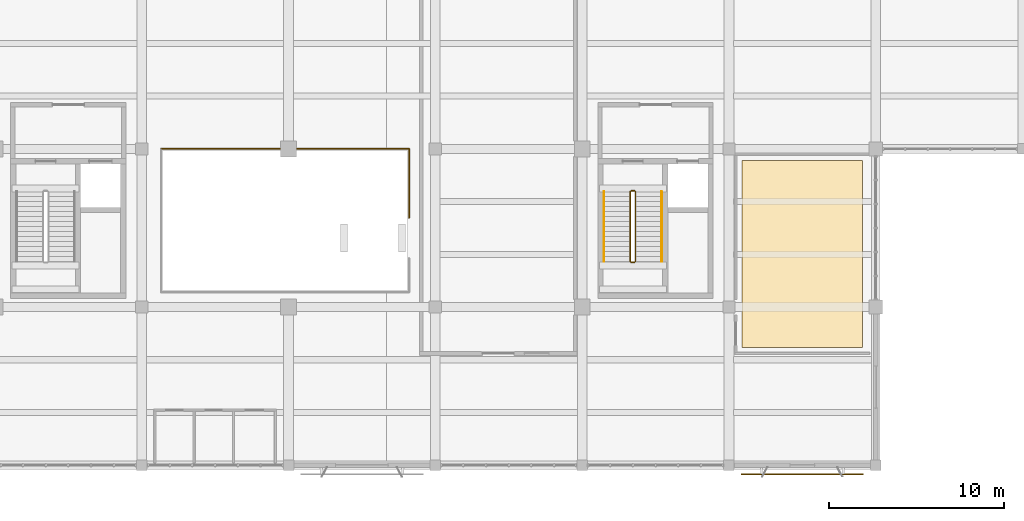
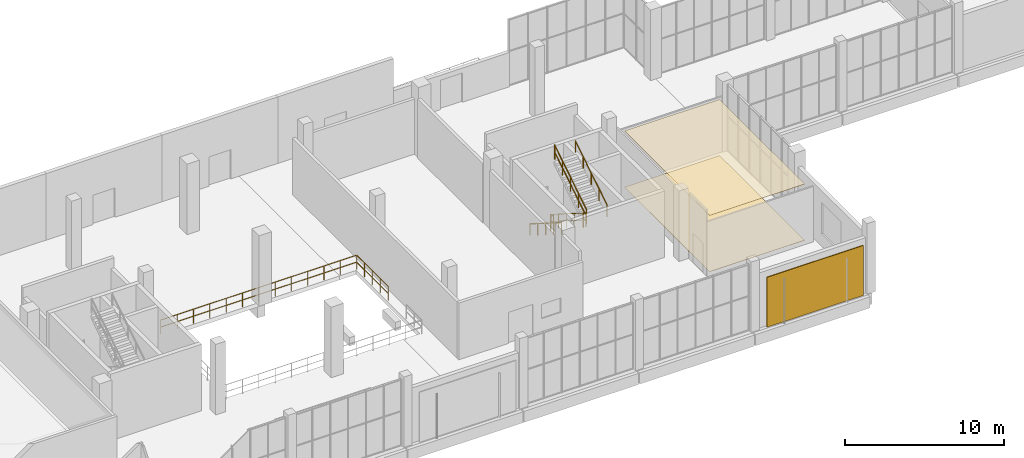
# One storey, part 126 of 132: 8 railings, 2 coverings, 1 shading device.
"""IFC4 building model written with IfcOpenShell, lengths in metres."""

from ifc_helpers import new_model, si_unit, direction, frame, origin, origin_2d, place, context, subcontext, project, spatial, polyline, rectangle, circle, outline, extrude, material, layer, layer_set, type_object, element, save


model = new_model("IFC4")

# Units and contexts
model_context = context("Model", 3, precision=1e-05, world=origin(), true_north=direction((0.0, 1.0)))
body_context = subcontext(model_context, "Body", "Model", "MODEL_VIEW")
ifc_project = project(units=[si_unit("LENGTHUNIT", "METRE"), si_unit("AREAUNIT", "SQUARE_METRE"), si_unit("VOLUMEUNIT", "CUBIC_METRE"), si_unit("PLANEANGLEUNIT", "RADIAN"), si_unit("MASSUNIT", "GRAM", prefix="KILO")], contexts=[model_context])

# Site, building, storey
site_placement = place(None, origin())
site = spatial("IfcSite", under=ifc_project, at=site_placement, CompositionType="ELEMENT")
building_placement = place(site_placement, origin())
building = spatial("IfcBuilding", under=site, at=building_placement, Name="Khurvash Pelagic Aquarium", CompositionType="ELEMENT")
storey_placement = place(building_placement, frame((0.0, 0.0, 5.39990234375)))
storey = spatial("IfcBuildingStorey", under=building, at=storey_placement, Name="L01", CompositionType="ELEMENT", Elevation=5.39990234375)

# Coverings
ifc_material_1 = material(Name="Moisture-resistant acoustic mineral-fibre ceiling", Category="finish")
ifc_layer_1 = layer(ifc_material_1, 0.02490234375)
ifc_layer_set_1 = layer_set([ifc_layer_1], Name="Moisture-resistant acoustic mineral-fibre ceiling")
covering_type_1 = type_object("IfcCoveringType", Name="CV-CLG", PredefinedType="CEILING", material=ifc_layer_set_1)
covering_1_placement = place(storey_placement, frame((0.0, 0.0, 4.30517578125)))
element("IfcCovering", 1, at=covering_1_placement, inside=storey, type_object=covering_type_1, Name="L01 Jellyfish Kreisel Gallery Suspended Acoustic Ceiling", PredefinedType="CEILING", context=body_context, shape_type="SweptSolid", body=[
    extrude(outline(polyline([(108.449951171875, 9.35009765625), (108.449951171875, 20.050048828125), (101.550048828125, 20.050048828125), (101.550048828125, 9.35009765625), (108.449951171875, 9.35009765625)])), origin(), (0.0, 0.0, 1.0), 0.02490234375),
])
ifc_material_2 = material(Name="Slip-resistant terrazzo and epoxy resin flooring", Category="finish")
ifc_layer_2 = layer(ifc_material_2, 0.02001953125)
ifc_layer_set_2 = layer_set([ifc_layer_2], Name="Slip-resistant terrazzo and epoxy resin flooring")
covering_type_2 = type_object("IfcCoveringType", Name="CV-FLR", PredefinedType="FLOORING", material=ifc_layer_set_2)
covering_2_placement = place(storey_placement, origin())
element("IfcCovering", 2, at=covering_2_placement, inside=storey, type_object=covering_type_2, Name="L01 Jellyfish Kreisel Gallery Terrazzo Floor Finish", PredefinedType="FLOORING", context=body_context, shape_type="SweptSolid", body=[
    extrude(outline(polyline([(108.449951171875, 9.35009765625), (108.449951171875, 20.050048828125), (101.550048828125, 20.050048828125), (101.550048828125, 9.35009765625), (108.449951171875, 9.35009765625)])), origin(), (0.0, 0.0, 1.0), 0.02001953125),
])

# Railings
ifc_material_3 = material(Name="Powder-coated galvanised steel S355J2", Category="steel")
railing_type_1 = type_object("IfcRailingType", Name="GR-01", PredefinedType="GUARDRAIL", material=ifc_material_3)
railing_1_placement = place(storey_placement, frame((95.14990234375, 18.25, 0.18017578125)))
element("IfcRailing", 3, at=railing_1_placement, inside=storey, type_object=railing_type_1, Name="L01 ST-03 stair guard 1", PredefinedType="GUARDRAIL", context=body_context, shape_type="SweptSolid", body=[
    extrude(circle(Radius=0.02392578125, at=origin_2d()), frame((0.0, 0.0, 1.076171875), z_axis=(0.0, -0.845486444383, 0.533996884227), x_axis=(1.0, 0.0, 0.0)), (0.0, 0.0, 1.0), 4.71923828125),
    extrude(circle(Radius=0.02392578125, at=origin_2d()), frame((0.0, 0.0, 0.5380859375), z_axis=(0.0, -0.845486444383, 0.533996884227), x_axis=(1.0, 0.0, 0.0)), (0.0, 0.0, 1.0), 4.71923828125),
    extrude(circle(Radius=0.02099609375, at=origin_2d()), origin(), (0.0, 0.0, 1.0), 1.052001953125),
    extrude(circle(Radius=0.02099609375, at=origin_2d()), frame((0.0, -0.99755859375, 0.6298828125)), (0.0, 0.0, 1.0), 1.052001953125),
    extrude(circle(Radius=0.02099609375, at=origin_2d()), frame((0.0, -1.9951171875, 1.260009765625)), (0.0, 0.0, 1.0), 1.052001953125),
    extrude(circle(Radius=0.02099609375, at=origin_2d()), frame((0.0, -2.992431640625, 1.89013671875)), (0.0, 0.0, 1.0), 1.052001953125),
    extrude(circle(Radius=0.02099609375, at=origin_2d()), frame((0.0, -3.989990234375, 2.52001953125)), (0.0, 0.0, 1.0), 1.052001953125),
])
railing_2_placement = place(storey_placement, frame((95.199951171875, 14.2099609375, 2.7001953125)))
element("IfcRailing", 4, at=railing_2_placement, inside=storey, type_object=railing_type_1, Name="L01 ST-03 stair guard 2", PredefinedType="GUARDRAIL", context=body_context, shape_type="SweptSolid", body=[
    extrude(circle(Radius=0.02392578125, at=origin_2d()), frame((0.0, 0.0, 1.076171875), z_axis=(1.0, 0.0, 0.0), x_axis=(0.0, 1.0, 0.0)), (0.0, 0.0, 1.0), 0.199951171875),
    extrude(circle(Radius=0.02392578125, at=origin_2d()), frame((0.0, 0.0, 0.5380859375), z_axis=(1.0, 0.0, 0.0), x_axis=(0.0, 1.0, 0.0)), (0.0, 0.0, 1.0), 0.199951171875),
    extrude(circle(Radius=0.02099609375, at=origin_2d()), origin(), (0.0, 0.0, 1.0), 1.052001953125),
    extrude(circle(Radius=0.02099609375, at=origin_2d()), frame((0.199951171875, 0.0, 0.0)), (0.0, 0.0, 1.0), 1.052001953125),
])
railing_3_placement = place(storey_placement, frame((95.449951171875, 14.260009765625, 2.880126953125)))
element("IfcRailing", 5, at=railing_3_placement, inside=storey, type_object=railing_type_1, Name="L01 ST-03 stair guard 3", PredefinedType="GUARDRAIL", context=body_context, shape_type="SweptSolid", body=[
    extrude(circle(Radius=0.02392578125, at=origin_2d()), frame((0.0, 0.0, 1.076171875), z_axis=(0.0, 0.845486444383, 0.533996884227), x_axis=(-1.0, 0.0, 0.0)), (0.0, 0.0, 1.0), 4.71923828125),
    extrude(circle(Radius=0.02392578125, at=origin_2d()), frame((0.0, 0.0, 0.5380859375), z_axis=(0.0, 0.845486444383, 0.533996884227), x_axis=(-1.0, 0.0, 0.0)), (0.0, 0.0, 1.0), 4.71923828125),
    extrude(circle(Radius=0.02099609375, at=origin_2d()), origin(), (0.0, 0.0, 1.0), 1.052001953125),
    extrude(circle(Radius=0.02099609375, at=origin_2d()), frame((0.0, 0.99755859375, 0.6298828125)), (0.0, 0.0, 1.0), 1.052001953125),
    extrude(circle(Radius=0.02099609375, at=origin_2d()), frame((0.0, 1.9951171875, 1.260009765625)), (0.0, 0.0, 1.0), 1.052001953125),
    extrude(circle(Radius=0.02099609375, at=origin_2d()), frame((0.0, 2.992431640625, 1.89013671875)), (0.0, 0.0, 1.0), 1.052001953125),
    extrude(circle(Radius=0.02099609375, at=origin_2d()), frame((0.0, 3.989990234375, 2.52001953125)), (0.0, 0.0, 1.0), 1.052001953125),
])
railing_4_placement = place(storey_placement, frame((95.199951171875, 18.300048828125, 0.0)))
element("IfcRailing", 6, at=railing_4_placement, inside=storey, type_object=railing_type_1, Name="L01 ST-03 stair guard 4", PredefinedType="GUARDRAIL", context=body_context, shape_type="SweptSolid", body=[
    extrude(circle(Radius=0.02392578125, at=origin_2d()), frame((0.0, 0.0, 1.076171875), z_axis=(1.0, 0.0, 0.0), x_axis=(0.0, 1.0, 0.0)), (0.0, 0.0, 1.0), 0.199951171875),
    extrude(circle(Radius=0.02392578125, at=origin_2d()), frame((0.0, 0.0, 0.5380859375), z_axis=(1.0, 0.0, 0.0), x_axis=(0.0, 1.0, 0.0)), (0.0, 0.0, 1.0), 0.199951171875),
    extrude(circle(Radius=0.02099609375, at=origin_2d()), origin(), (0.0, 0.0, 1.0), 1.052001953125),
    extrude(circle(Radius=0.02099609375, at=origin_2d()), frame((0.199951171875, 0.0, 0.0)), (0.0, 0.0, 1.0), 1.052001953125),
])
railing_5_placement = place(storey_placement, frame((82.5, 16.75, 0.0)))
element("IfcRailing", 7, at=railing_5_placement, inside=storey, type_object=railing_type_1, Name="L01 VOID_ATRIUM_L01 Mezzanine Edge Guardrail GR-01", PredefinedType="GUARDRAIL", context=body_context, shape_type="SweptSolid", body=[
    extrude(circle(Radius=0.02392578125, at=origin_2d()), frame((0.0, 0.0, 1.076171875), z_axis=(0.0, 1.0, 0.0), x_axis=(-1.0, 0.0, 0.0)), (0.0, 0.0, 1.0), 3.949951171875),
    extrude(circle(Radius=0.02392578125, at=origin_2d()), frame((0.0, 0.0, 0.5380859375), z_axis=(0.0, 1.0, 0.0), x_axis=(-1.0, 0.0, 0.0)), (0.0, 0.0, 1.0), 3.949951171875),
    extrude(circle(Radius=0.02099609375, at=origin_2d()), origin(), (0.0, 0.0, 1.0), 1.052001953125),
    extrude(circle(Radius=0.02099609375, at=origin_2d()), frame((0.0, 0.987548828125, 0.0)), (0.0, 0.0, 1.0), 1.052001953125),
    extrude(circle(Radius=0.02099609375, at=origin_2d()), frame((0.0, 1.97509765625, 0.0)), (0.0, 0.0, 1.0), 1.052001953125),
    extrude(circle(Radius=0.02099609375, at=origin_2d()), frame((0.0, 2.96240234375, 0.0)), (0.0, 0.0, 1.0), 1.052001953125),
    extrude(circle(Radius=0.02099609375, at=origin_2d()), frame((0.0, 3.949951171875, 0.0)), (0.0, 0.0, 1.0), 1.052001953125),
])
railing_6_placement = place(storey_placement, frame((82.5, 20.699951171875, 0.0)))
element("IfcRailing", 8, at=railing_6_placement, inside=storey, type_object=railing_type_1, Name="L01 VOID_ATRIUM_L01 Mezzanine Edge Guardrail GR-01", PredefinedType="GUARDRAIL", context=body_context, shape_type="SweptSolid", body=[
    extrude(circle(Radius=0.02392578125, at=origin_2d()), frame((0.0, 0.0, 1.076171875), z_axis=(-1.0, 0.0, 0.0), x_axis=(0.0, -1.0, 0.0)), (0.0, 0.0, 1.0), 14.199951171875),
    extrude(circle(Radius=0.02392578125, at=origin_2d()), frame((0.0, 0.0, 0.5380859375), z_axis=(-1.0, 0.0, 0.0), x_axis=(0.0, -1.0, 0.0)), (0.0, 0.0, 1.0), 14.199951171875),
    extrude(circle(Radius=0.02099609375, at=origin_2d()), origin(), (0.0, 0.0, 1.0), 1.052001953125),
    extrude(circle(Radius=0.02099609375, at=origin_2d()), frame((-1.183349609375, 0.0, 0.0)), (0.0, 0.0, 1.0), 1.052001953125),
    extrude(circle(Radius=0.02099609375, at=origin_2d()), frame((-2.36669921875, 0.0, 0.0)), (0.0, 0.0, 1.0), 1.052001953125),
    extrude(circle(Radius=0.02099609375, at=origin_2d()), frame((-3.550048828125, 0.0, 0.0)), (0.0, 0.0, 1.0), 1.052001953125),
    extrude(circle(Radius=0.02099609375, at=origin_2d()), frame((-4.7333984375, 0.0, 0.0)), (0.0, 0.0, 1.0), 1.052001953125),
    extrude(circle(Radius=0.02099609375, at=origin_2d()), frame((-5.916748046875, 0.0, 0.0)), (0.0, 0.0, 1.0), 1.052001953125),
    extrude(circle(Radius=0.02099609375, at=origin_2d()), frame((-7.10009765625, 0.0, 0.0)), (0.0, 0.0, 1.0), 1.052001953125),
    extrude(circle(Radius=0.02099609375, at=origin_2d()), frame((-8.283203125, 0.0, 0.0)), (0.0, 0.0, 1.0), 1.052001953125),
    extrude(circle(Radius=0.02099609375, at=origin_2d()), frame((-9.466552734375, 0.0, 0.0)), (0.0, 0.0, 1.0), 1.052001953125),
    extrude(circle(Radius=0.02099609375, at=origin_2d()), frame((-10.64990234375, 0.0, 0.0)), (0.0, 0.0, 1.0), 1.052001953125),
    extrude(circle(Radius=0.02099609375, at=origin_2d()), frame((-11.833251953125, 0.0, 0.0)), (0.0, 0.0, 1.0), 1.052001953125),
    extrude(circle(Radius=0.02099609375, at=origin_2d()), frame((-13.0166015625, 0.0, 0.0)), (0.0, 0.0, 1.0), 1.052001953125),
    extrude(circle(Radius=0.02099609375, at=origin_2d()), frame((-14.199951171875, 0.0, 0.0)), (0.0, 0.0, 1.0), 1.052001953125),
])
ifc_material_4 = material(Name="Brushed stainless steel 316", Category="steel")
railing_type_2 = type_object("IfcRailingType", Name="HR-01", PredefinedType="HANDRAIL", material=ifc_material_4)
railing_7_placement = place(storey_placement, frame((93.64990234375, 18.25, 0.18017578125)))
element("IfcRailing", 9, at=railing_7_placement, inside=storey, type_object=railing_type_2, Name="L01 ST-03 stair handrail 1", PredefinedType="HANDRAIL", context=body_context, shape_type="SweptSolid", body=[
    extrude(circle(Radius=0.02392578125, at=origin_2d()), frame((0.0, 0.0, 0.8759765625), z_axis=(0.0, -0.845486444383, 0.533996884227), x_axis=(1.0, 0.0, 0.0)), (0.0, 0.0, 1.0), 4.71923828125),
    extrude(circle(Radius=0.02099609375, at=origin_2d()), origin(), (0.0, 0.0, 1.0), 0.851806640625),
    extrude(circle(Radius=0.02099609375, at=origin_2d()), frame((0.0, -0.99755859375, 0.6298828125)), (0.0, 0.0, 1.0), 0.851806640625),
    extrude(circle(Radius=0.02099609375, at=origin_2d()), frame((0.0, -1.9951171875, 1.260009765625)), (0.0, 0.0, 1.0), 0.851806640625),
    extrude(circle(Radius=0.02099609375, at=origin_2d()), frame((0.0, -2.992431640625, 1.89013671875)), (0.0, 0.0, 1.0), 0.851806640625),
    extrude(circle(Radius=0.02099609375, at=origin_2d()), frame((0.0, -3.989990234375, 2.52001953125)), (0.0, 0.0, 1.0), 0.851806640625),
])
railing_8_placement = place(storey_placement, frame((96.949951171875, 14.260009765625, 2.880126953125)))
element("IfcRailing", 10, at=railing_8_placement, inside=storey, type_object=railing_type_2, Name="L01 ST-03 stair handrail 2", PredefinedType="HANDRAIL", context=body_context, shape_type="SweptSolid", body=[
    extrude(circle(Radius=0.02392578125, at=origin_2d()), frame((0.0, 0.0, 0.8759765625), z_axis=(0.0, 0.845486444383, 0.533996884227), x_axis=(-1.0, 0.0, 0.0)), (0.0, 0.0, 1.0), 4.71923828125),
    extrude(circle(Radius=0.02099609375, at=origin_2d()), origin(), (0.0, 0.0, 1.0), 0.851806640625),
    extrude(circle(Radius=0.02099609375, at=origin_2d()), frame((0.0, 0.99755859375, 0.6298828125)), (0.0, 0.0, 1.0), 0.851806640625),
    extrude(circle(Radius=0.02099609375, at=origin_2d()), frame((0.0, 1.9951171875, 1.260009765625)), (0.0, 0.0, 1.0), 0.851806640625),
    extrude(circle(Radius=0.02099609375, at=origin_2d()), frame((0.0, 2.992431640625, 1.89013671875)), (0.0, 0.0, 1.0), 0.851806640625),
    extrude(circle(Radius=0.02099609375, at=origin_2d()), frame((0.0, 3.989990234375, 2.52001953125)), (0.0, 0.0, 1.0), 0.851806640625),
])

# Shading device
ifc_material_5 = material(Name="Perforated anodised aluminium AW-5005", Category="aluminium")
ifc_layer_3 = layer(ifc_material_5, 0.06005859375)
ifc_layer_set_3 = layer_set([ifc_layer_3], Name="Perforated anodised aluminium AW-5005")
shading_device_type = type_object("IfcShadingDeviceType", Name="SH-JAL", PredefinedType="JALOUSIE", material=ifc_layer_set_3)
shading_device_placement = place(storey_placement, frame((105.0, 2.080078125, 0.199951171875), z_axis=(0.0, 0.0, 1.0), x_axis=(1.0, 0.0, 0.0)))
element("IfcShadingDevice", 11, at=shading_device_placement, inside=storey, type_object=shading_device_type, Name="L01 Perforated Aluminium Jali Screen SH-JAL 0004", PredefinedType="JALOUSIE", context=body_context, shape_type="SweptSolid", body=[
    extrude(rectangle(XDim=6.989990234375, YDim=0.06005859375, at=origin_2d()), origin(), (0.0, 0.0, 1.0), 3.830078125),
])

save(model, "model.ifc")
